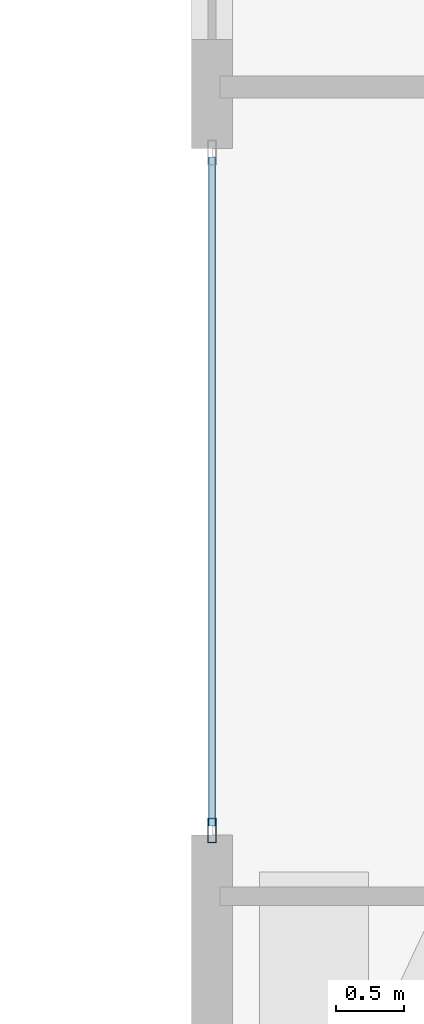
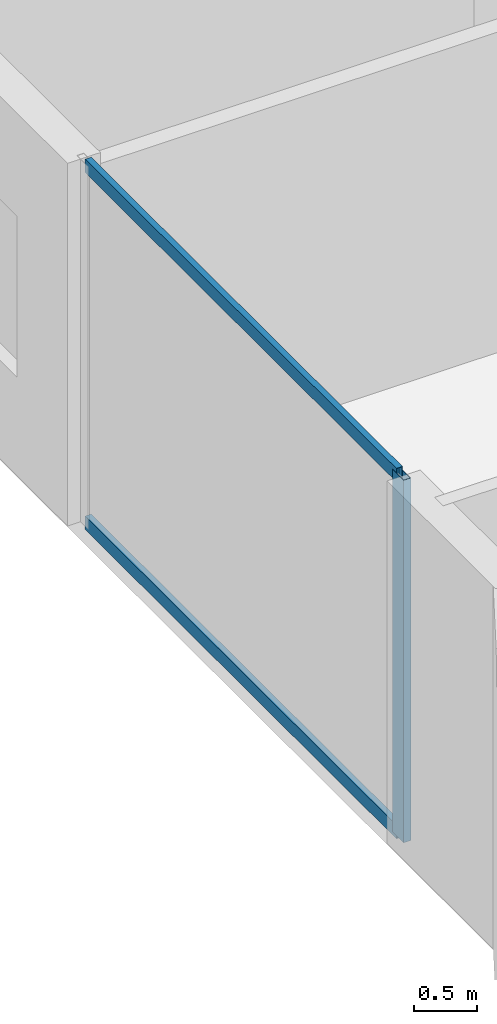
# One storey, part 7 of 33: 3 members, 1 element without a shape of its own.
"""IFC4 building model written with IfcOpenShell, lengths in metres."""

from ifc_helpers import new_model, si_unit, direction, frame, origin, origin_2d, place, context, subcontext, project, spatial, hollow_rectangle, extrude, material, layer, layer_set, material_profile, profile_set, type_object, element, aggregate, save


model = new_model("IFC4")

# Units and contexts
model_context = context("Model", 3, precision=1e-05, world=origin(), true_north=direction((0.0, 1.0)))
body_context = subcontext(model_context, "Body", "Model", "MODEL_VIEW")
ifc_project = project(units=[si_unit("LENGTHUNIT", "METRE"), si_unit("AREAUNIT", "SQUARE_METRE"), si_unit("VOLUMEUNIT", "CUBIC_METRE"), si_unit("PLANEANGLEUNIT", "RADIAN"), si_unit("MASSUNIT", "GRAM", prefix="KILO")], contexts=[model_context])

# Site, building, storey
site_placement = place(None, origin())
site = spatial("IfcSite", under=ifc_project, at=site_placement, CompositionType="ELEMENT")
building_placement = place(site_placement, origin())
building = spatial("IfcBuilding", under=site, at=building_placement, Name="Zuhayl Quay Hotel", CompositionType="ELEMENT")
storey_placement = place(building_placement, frame((0.0, 0.0, 229.89990234375)))
storey = spatial("IfcBuildingStorey", under=building, at=storey_placement, Name="L58", CompositionType="ELEMENT", Elevation=229.89990234375)

# Curtain wall, members
ifc_material_1 = material(Name="Anodised Aluminium 6063-T6", Category="aluminium")
ifc_layer = layer(ifc_material_1, 0.175048828125, Name="Anodised Aluminium 6063-T6", Category="aluminium")
ifc_layer_set = layer_set([ifc_layer], Name="Anodised Aluminium 6063-T6")
curtain_wall_type = type_object("IfcCurtainWallType", Name="CW_SYS_Z3", PredefinedType="USERDEFINED", material=ifc_layer_set)
curtain_wall_placement = place(storey_placement, origin())
curtain_wall = element("IfcCurtainWall", 1, at=curtain_wall_placement, inside=storey, type_object=curtain_wall_type, Name="L58 Curtain Wall ENV_L58_E05_CW1", ObjectType="UNITISED CURTAIN WALL", PredefinedType="USERDEFINED")
ifc_material_2 = material(Name="Black-anodised aluminium 6063-T6", Category="aluminium")
ifc_material_profile_1 = material_profile(ifc_material_2, hollow_rectangle(XDim=0.06494140625, YDim=0.179931640625, WallThickness=0.00341796875, at=origin_2d()), Name="ALU180X65")
ifc_profile_set_1 = profile_set([ifc_material_profile_1], Name="Black-anodised aluminium 6063-T6")
member_type_1 = type_object("IfcMemberType", Name="MB_CW_MUL_180", PredefinedType="MULLION", material=ifc_profile_set_1)
member_1_placement = place(storey_placement, frame((-22.10009765625, 19.54248046875, 0.0), z_axis=(0.0, 0.0, 1.0), x_axis=(-1.0, 0.0, 0.0)))
member_1 = element("IfcMember", 2, at=member_1_placement, type_object=member_type_1, Name="CW-Z3 mullion 1", PredefinedType="MULLION", context=body_context, shape_type="SweptSolid", body=[
    extrude(hollow_rectangle(XDim=0.06494140625, YDim=0.179931640625, WallThickness=0.00341796875, at=origin_2d()), origin(), (0.0, 0.0, 1.0), 3.489990234375),
])
ifc_material_profile_2 = material_profile(ifc_material_2, hollow_rectangle(XDim=0.054931640625, YDim=0.1298828125, WallThickness=0.0029296875, at=origin_2d()), Name="ALU130X55")
ifc_profile_set_2 = profile_set([ifc_material_profile_2], Name="Black-anodised aluminium 6063-T6")
member_type_2 = type_object("IfcMemberType", Name="MB_CW_TRN_130", PredefinedType="USERDEFINED", material=ifc_profile_set_2)
member_2_placement = place(storey_placement, frame((-22.10009765625, 19.574951171875, 0.027587890625), z_axis=(0.0, 1.0, 0.0), x_axis=(-1.0, 0.0, 0.0)))
member_2 = element("IfcMember", 3, at=member_2_placement, type_object=member_type_2, Name="CW-Z3 transom 1.1", ObjectType="TRANSOM", PredefinedType="USERDEFINED", context=body_context, shape_type="SweptSolid", body=[
    extrude(hollow_rectangle(XDim=0.054931640625, YDim=0.1298828125, WallThickness=0.0029296875, at=origin_2d()), origin(), (0.0, 0.0, 1.0), 4.91015625),
])
member_3_placement = place(storey_placement, frame((-22.10009765625, 19.574951171875, 3.462646484375), z_axis=(0.0, 1.0, 0.0), x_axis=(-1.0, 0.0, 0.0)))
member_3 = element("IfcMember", 4, at=member_3_placement, type_object=member_type_2, Name="CW-Z3 transom 1.2", ObjectType="TRANSOM", PredefinedType="USERDEFINED", context=body_context, shape_type="SweptSolid", body=[
    extrude(hollow_rectangle(XDim=0.054931640625, YDim=0.1298828125, WallThickness=0.0029296875, at=origin_2d()), origin(), (0.0, 0.0, 1.0), 4.91015625),
])
aggregate(curtain_wall, [member_1, member_2, member_3])

save(model, "model.ifc")
